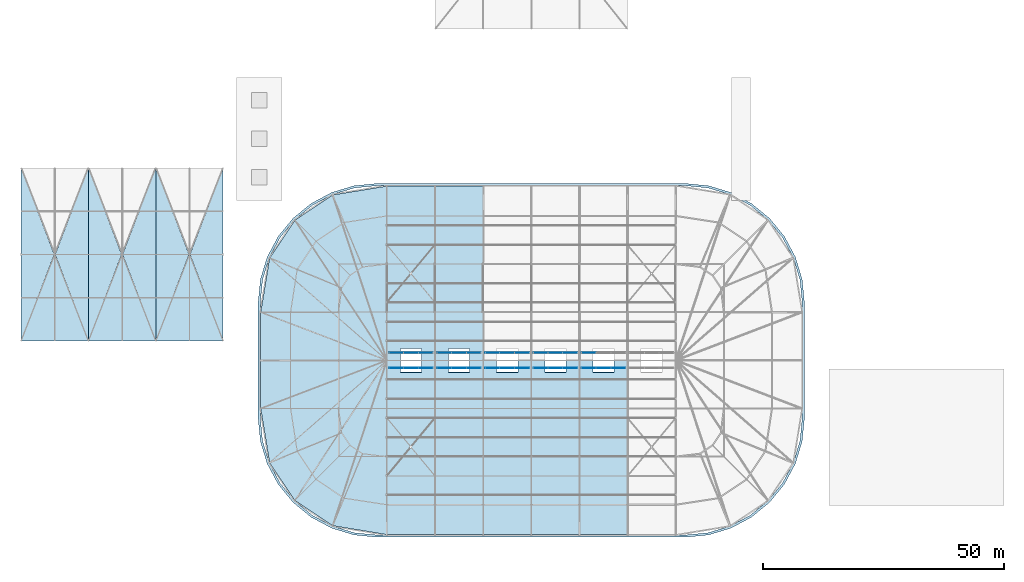
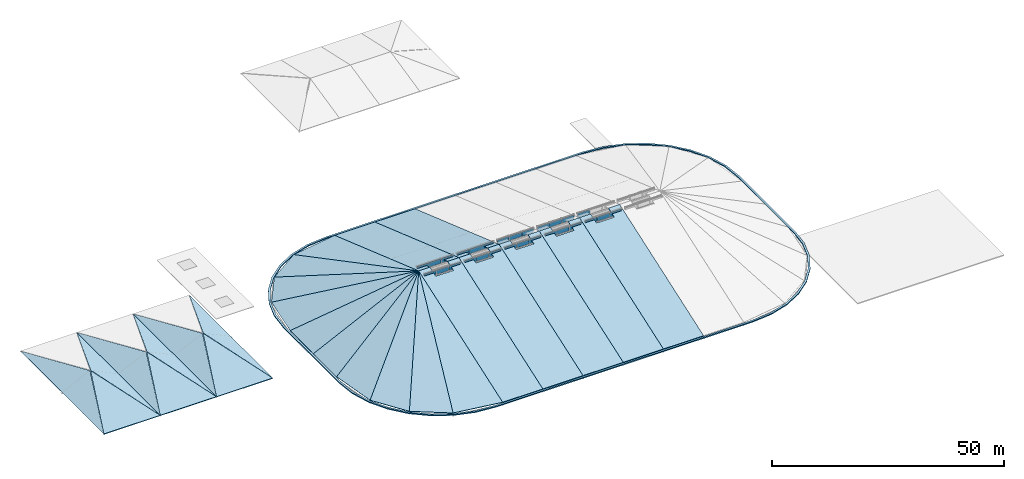
# One storey, part 81 of 93: 28 plates, 27 slabs, 10 elements without a shape of their own.
"""IFC4 building model written with IfcOpenShell, lengths in metres."""

from ifc_helpers import new_model, si_unit, derived_unit, direction, frame, origin, origin_2d_with_axis, place, context, subcontext, project, spatial, polyline, rectangle, outline, extrude, material, layer, layer_set, type_object, element, aggregate, save


model = new_model("IFC4")

# Units and contexts
model_context = context("Model", 3, precision=1e-05, world=origin(), true_north=direction((0.0, 1.0)))
body_context = subcontext(model_context, "Body", "Model", "MODEL_VIEW")
ifc_project = project(units=[si_unit("LENGTHUNIT", "METRE"), si_unit("AREAUNIT", "SQUARE_METRE"), si_unit("VOLUMEUNIT", "CUBIC_METRE"), si_unit("PLANEANGLEUNIT", "RADIAN"), si_unit("MASSUNIT", "GRAM", prefix="KILO"), derived_unit("THERMALTRANSMITTANCEUNIT", [(si_unit("POWERUNIT", "WATT"), 1), (si_unit("LENGTHUNIT", "METRE"), -2), (si_unit("THERMODYNAMICTEMPERATUREUNIT", "KELVIN"), -1)])], contexts=[model_context])

# Site, building, storey
site_placement = place(None, origin())
site = spatial("IfcSite", under=ifc_project, at=site_placement, CompositionType="ELEMENT")
building_placement = place(site_placement, origin())
building = spatial("IfcBuilding", under=site, at=building_placement, Name="Cinnabar Yard Market Hall", CompositionType="ELEMENT")
storey_placement = place(building_placement, frame((0.0, 0.0, 23.800048828125)))
storey = spatial("IfcBuildingStorey", under=building, at=storey_placement, Name="ROOF", CompositionType="ELEMENT", Elevation=23.800048828125)

# Curtain wall, plates
ifc_material_1 = material(Name="Anodised aluminium ridge clerestory", Category="aluminium")
curtain_wall_type = type_object("IfcCurtainWallType", Name="CW-CWR092x13", PredefinedType="NOTDEFINED", material=ifc_material_1)
curtain_wall_1_placement = place(storey_placement, origin())
curtain_wall_1 = element("IfcCurtainWall", 1, at=curtain_wall_1_placement, inside=storey, type_object=curtain_wall_type, Name="South Ridge Clerestory 1", PredefinedType="NOTDEFINED")
ifc_material_2 = material(Name="Low-E laminated glass", Category="glass")
ifc_layer_1 = layer(ifc_material_2, 0.028076171875)
ifc_layer_set_1 = layer_set([ifc_layer_1], Name="Low-E laminated glass")
plate_type_1 = type_object("IfcPlateType", Name="CWP-GP296x115", PredefinedType="CURTAIN_PANEL", material=ifc_layer_set_1)
plate_1_placement = place(storey_placement, frame((87.950927734375, 42.39990234375, 2.22021484375), z_axis=(0.0, 0.0, 1.0), x_axis=(1.0, 0.0, 0.0)))
plate_1 = element("IfcPlate", 2, at=plate_1_placement, type_object=plate_type_1, Name="CWR092x13 panel 1.1", PredefinedType="CURTAIN_PANEL", context=body_context, shape_type="SweptSolid", body=[
    extrude(rectangle(XDim=2.961669921875, YDim=0.028076171875, at=origin_2d_with_axis()), origin(), (0.0, 0.0, 1.0), 1.159912109375),
])
plate_2_placement = place(storey_placement, frame((94.049072265625, 42.39990234375, 2.22021484375), z_axis=(0.0, 0.0, 1.0), x_axis=(1.0, 0.0, 0.0)))
plate_2 = element("IfcPlate", 3, at=plate_2_placement, type_object=plate_type_1, Name="CWR092x13 panel 3.1", PredefinedType="CURTAIN_PANEL", context=body_context, shape_type="SweptSolid", body=[
    extrude(rectangle(XDim=2.961669921875, YDim=0.028076171875, at=origin_2d_with_axis()), origin(), (0.0, 0.0, 1.0), 1.159912109375),
])

curtain_wall_2_placement = place(storey_placement, origin())
curtain_wall_2 = element("IfcCurtainWall", 4, at=curtain_wall_2_placement, inside=storey, type_object=curtain_wall_type, Name="North Ridge Clerestory 1", PredefinedType="NOTDEFINED")
plate_3_placement = place(storey_placement, frame((94.049072265625, 45.60009765625, 2.22021484375), z_axis=(0.0, 0.0, 1.0), x_axis=(-1.0, 0.0, 0.0)))
plate_3 = element("IfcPlate", 5, at=plate_3_placement, type_object=plate_type_1, Name="CWR092x13 panel 1.1", PredefinedType="CURTAIN_PANEL", context=body_context, shape_type="SweptSolid", body=[
    extrude(rectangle(XDim=2.961669921875, YDim=0.028076171875, at=origin_2d_with_axis()), origin(), (0.0, 0.0, 1.0), 1.159912109375),
])
plate_4_placement = place(storey_placement, frame((87.950927734375, 45.60009765625, 2.22021484375), z_axis=(0.0, 0.0, 1.0), x_axis=(-1.0, 0.0, 0.0)))
plate_4 = element("IfcPlate", 6, at=plate_4_placement, type_object=plate_type_1, Name="CWR092x13 panel 3.1", PredefinedType="CURTAIN_PANEL", context=body_context, shape_type="SweptSolid", body=[
    extrude(rectangle(XDim=2.961669921875, YDim=0.028076171875, at=origin_2d_with_axis()), origin(), (0.0, 0.0, 1.0), 1.159912109375),
])

curtain_wall_3_placement = place(storey_placement, origin())
curtain_wall_3 = element("IfcCurtainWall", 7, at=curtain_wall_3_placement, inside=storey, type_object=curtain_wall_type, Name="South Ridge Clerestory 2", PredefinedType="NOTDEFINED")
plate_5_placement = place(storey_placement, frame((97.950927734375, 42.39990234375, 2.22021484375), z_axis=(0.0, 0.0, 1.0), x_axis=(1.0, 0.0, 0.0)))
plate_5 = element("IfcPlate", 8, at=plate_5_placement, type_object=plate_type_1, Name="CWR092x13 panel 1.1", PredefinedType="CURTAIN_PANEL", context=body_context, shape_type="SweptSolid", body=[
    extrude(rectangle(XDim=2.961669921875, YDim=0.028076171875, at=origin_2d_with_axis()), origin(), (0.0, 0.0, 1.0), 1.159912109375),
])
plate_6_placement = place(storey_placement, frame((104.049072265625, 42.39990234375, 2.22021484375), z_axis=(0.0, 0.0, 1.0), x_axis=(1.0, 0.0, 0.0)))
plate_6 = element("IfcPlate", 9, at=plate_6_placement, type_object=plate_type_1, Name="CWR092x13 panel 3.1", PredefinedType="CURTAIN_PANEL", context=body_context, shape_type="SweptSolid", body=[
    extrude(rectangle(XDim=2.961669921875, YDim=0.028076171875, at=origin_2d_with_axis()), origin(), (0.0, 0.0, 1.0), 1.159912109375),
])

curtain_wall_4_placement = place(storey_placement, origin())
curtain_wall_4 = element("IfcCurtainWall", 10, at=curtain_wall_4_placement, inside=storey, type_object=curtain_wall_type, Name="North Ridge Clerestory 2", PredefinedType="NOTDEFINED")
plate_7_placement = place(storey_placement, frame((104.049072265625, 45.60009765625, 2.22021484375), z_axis=(0.0, 0.0, 1.0), x_axis=(-1.0, 0.0, 0.0)))
plate_7 = element("IfcPlate", 11, at=plate_7_placement, type_object=plate_type_1, Name="CWR092x13 panel 1.1", PredefinedType="CURTAIN_PANEL", context=body_context, shape_type="SweptSolid", body=[
    extrude(rectangle(XDim=2.961669921875, YDim=0.028076171875, at=origin_2d_with_axis()), origin(), (0.0, 0.0, 1.0), 1.159912109375),
])
plate_8_placement = place(storey_placement, frame((97.950927734375, 45.60009765625, 2.22021484375), z_axis=(0.0, 0.0, 1.0), x_axis=(-1.0, 0.0, 0.0)))
plate_8 = element("IfcPlate", 12, at=plate_8_placement, type_object=plate_type_1, Name="CWR092x13 panel 3.1", PredefinedType="CURTAIN_PANEL", context=body_context, shape_type="SweptSolid", body=[
    extrude(rectangle(XDim=2.961669921875, YDim=0.028076171875, at=origin_2d_with_axis()), origin(), (0.0, 0.0, 1.0), 1.159912109375),
])

curtain_wall_5_placement = place(storey_placement, origin())
curtain_wall_5 = element("IfcCurtainWall", 13, at=curtain_wall_5_placement, inside=storey, type_object=curtain_wall_type, Name="South Ridge Clerestory 3", PredefinedType="NOTDEFINED")
plate_9_placement = place(storey_placement, frame((107.950927734375, 42.39990234375, 2.22021484375), z_axis=(0.0, 0.0, 1.0), x_axis=(1.0, 0.0, 0.0)))
plate_9 = element("IfcPlate", 14, at=plate_9_placement, type_object=plate_type_1, Name="CWR092x13 panel 1.1", PredefinedType="CURTAIN_PANEL", context=body_context, shape_type="SweptSolid", body=[
    extrude(rectangle(XDim=2.961669921875, YDim=0.028076171875, at=origin_2d_with_axis()), origin(), (0.0, 0.0, 1.0), 1.159912109375),
])
plate_10_placement = place(storey_placement, frame((114.049072265625, 42.39990234375, 2.22021484375), z_axis=(0.0, 0.0, 1.0), x_axis=(1.0, 0.0, 0.0)))
plate_10 = element("IfcPlate", 15, at=plate_10_placement, type_object=plate_type_1, Name="CWR092x13 panel 3.1", PredefinedType="CURTAIN_PANEL", context=body_context, shape_type="SweptSolid", body=[
    extrude(rectangle(XDim=2.961669921875, YDim=0.028076171875, at=origin_2d_with_axis()), origin(), (0.0, 0.0, 1.0), 1.159912109375),
])

curtain_wall_6_placement = place(storey_placement, origin())
curtain_wall_6 = element("IfcCurtainWall", 16, at=curtain_wall_6_placement, inside=storey, type_object=curtain_wall_type, Name="North Ridge Clerestory 3", PredefinedType="NOTDEFINED")
plate_11_placement = place(storey_placement, frame((114.049072265625, 45.60009765625, 2.22021484375), z_axis=(0.0, 0.0, 1.0), x_axis=(-1.0, 0.0, 0.0)))
plate_11 = element("IfcPlate", 17, at=plate_11_placement, type_object=plate_type_1, Name="CWR092x13 panel 1.1", PredefinedType="CURTAIN_PANEL", context=body_context, shape_type="SweptSolid", body=[
    extrude(rectangle(XDim=2.961669921875, YDim=0.028076171875, at=origin_2d_with_axis()), origin(), (0.0, 0.0, 1.0), 1.159912109375),
])
plate_12_placement = place(storey_placement, frame((107.950927734375, 45.60009765625, 2.22021484375), z_axis=(0.0, 0.0, 1.0), x_axis=(-1.0, 0.0, 0.0)))
plate_12 = element("IfcPlate", 18, at=plate_12_placement, type_object=plate_type_1, Name="CWR092x13 panel 3.1", PredefinedType="CURTAIN_PANEL", context=body_context, shape_type="SweptSolid", body=[
    extrude(rectangle(XDim=2.961669921875, YDim=0.028076171875, at=origin_2d_with_axis()), origin(), (0.0, 0.0, 1.0), 1.159912109375),
])

curtain_wall_7_placement = place(storey_placement, origin())
curtain_wall_7 = element("IfcCurtainWall", 19, at=curtain_wall_7_placement, inside=storey, type_object=curtain_wall_type, Name="South Ridge Clerestory 4", PredefinedType="NOTDEFINED")
plate_13_placement = place(storey_placement, frame((117.950927734375, 42.39990234375, 2.22021484375), z_axis=(0.0, 0.0, 1.0), x_axis=(1.0, 0.0, 0.0)))
plate_13 = element("IfcPlate", 20, at=plate_13_placement, type_object=plate_type_1, Name="CWR092x13 panel 1.1", PredefinedType="CURTAIN_PANEL", context=body_context, shape_type="SweptSolid", body=[
    extrude(rectangle(XDim=2.961669921875, YDim=0.028076171875, at=origin_2d_with_axis()), origin(), (0.0, 0.0, 1.0), 1.159912109375),
])
plate_14_placement = place(storey_placement, frame((124.049072265625, 42.39990234375, 2.22021484375), z_axis=(0.0, 0.0, 1.0), x_axis=(1.0, 0.0, 0.0)))
plate_14 = element("IfcPlate", 21, at=plate_14_placement, type_object=plate_type_1, Name="CWR092x13 panel 3.1", PredefinedType="CURTAIN_PANEL", context=body_context, shape_type="SweptSolid", body=[
    extrude(rectangle(XDim=2.961669921875, YDim=0.028076171875, at=origin_2d_with_axis()), origin(), (0.0, 0.0, 1.0), 1.159912109375),
])

curtain_wall_8_placement = place(storey_placement, origin())
curtain_wall_8 = element("IfcCurtainWall", 22, at=curtain_wall_8_placement, inside=storey, type_object=curtain_wall_type, Name="North Ridge Clerestory 4", PredefinedType="NOTDEFINED")
plate_15_placement = place(storey_placement, frame((124.049072265625, 45.60009765625, 2.22021484375), z_axis=(0.0, 0.0, 1.0), x_axis=(-1.0, 0.0, 0.0)))
plate_15 = element("IfcPlate", 23, at=plate_15_placement, type_object=plate_type_1, Name="CWR092x13 panel 1.1", PredefinedType="CURTAIN_PANEL", context=body_context, shape_type="SweptSolid", body=[
    extrude(rectangle(XDim=2.961669921875, YDim=0.028076171875, at=origin_2d_with_axis()), origin(), (0.0, 0.0, 1.0), 1.159912109375),
])
plate_16_placement = place(storey_placement, frame((117.950927734375, 45.60009765625, 2.22021484375), z_axis=(0.0, 0.0, 1.0), x_axis=(-1.0, 0.0, 0.0)))
plate_16 = element("IfcPlate", 24, at=plate_16_placement, type_object=plate_type_1, Name="CWR092x13 panel 3.1", PredefinedType="CURTAIN_PANEL", context=body_context, shape_type="SweptSolid", body=[
    extrude(rectangle(XDim=2.961669921875, YDim=0.028076171875, at=origin_2d_with_axis()), origin(), (0.0, 0.0, 1.0), 1.159912109375),
])

curtain_wall_9_placement = place(storey_placement, origin())
curtain_wall_9 = element("IfcCurtainWall", 25, at=curtain_wall_9_placement, inside=storey, type_object=curtain_wall_type, Name="South Ridge Clerestory 5", PredefinedType="NOTDEFINED")
plate_17_placement = place(storey_placement, frame((127.950927734375, 42.39990234375, 2.22021484375), z_axis=(0.0, 0.0, 1.0), x_axis=(1.0, 0.0, 0.0)))
plate_17 = element("IfcPlate", 26, at=plate_17_placement, type_object=plate_type_1, Name="CWR092x13 panel 1.1", PredefinedType="CURTAIN_PANEL", context=body_context, shape_type="SweptSolid", body=[
    extrude(rectangle(XDim=2.961669921875, YDim=0.028076171875, at=origin_2d_with_axis()), origin(), (0.0, 0.0, 1.0), 1.159912109375),
])
plate_18_placement = place(storey_placement, frame((134.049072265625, 42.39990234375, 2.22021484375), z_axis=(0.0, 0.0, 1.0), x_axis=(1.0, 0.0, 0.0)))
plate_18 = element("IfcPlate", 27, at=plate_18_placement, type_object=plate_type_1, Name="CWR092x13 panel 3.1", PredefinedType="CURTAIN_PANEL", context=body_context, shape_type="SweptSolid", body=[
    extrude(rectangle(XDim=2.961669921875, YDim=0.028076171875, at=origin_2d_with_axis()), origin(), (0.0, 0.0, 1.0), 1.159912109375),
])

# Curtain wall, plate
curtain_wall_10_placement = place(storey_placement, origin())
curtain_wall_10 = element("IfcCurtainWall", 28, at=curtain_wall_10_placement, inside=storey, type_object=curtain_wall_type, Name="North Ridge Clerestory 5", PredefinedType="NOTDEFINED")
plate_19_placement = place(storey_placement, frame((127.950927734375, 45.60009765625, 2.22021484375), z_axis=(0.0, 0.0, 1.0), x_axis=(-1.0, 0.0, 0.0)))
plate_19 = element("IfcPlate", 29, at=plate_19_placement, type_object=plate_type_1, Name="CWR092x13 panel 3.1", PredefinedType="CURTAIN_PANEL", context=body_context, shape_type="SweptSolid", body=[
    extrude(rectangle(XDim=2.961669921875, YDim=0.028076171875, at=origin_2d_with_axis()), origin(), (0.0, 0.0, 1.0), 1.159912109375),
])
aggregate(curtain_wall_10, [plate_19])

# Plate
ifc_layer_2 = layer(ifc_material_2, 0.028076171875)
ifc_layer_set_2 = layer_set([ifc_layer_2], Name="Low-E laminated glass")
plate_type_2 = type_object("IfcPlateType", Name="CWP-GP300x115", PredefinedType="CURTAIN_PANEL", material=ifc_layer_set_2)
plate_20_placement = place(storey_placement, frame((91.0, 42.39990234375, 2.22021484375), z_axis=(0.0, 0.0, 1.0), x_axis=(1.0, 0.0, 0.0)))
plate_20 = element("IfcPlate", 30, at=plate_20_placement, type_object=plate_type_2, Name="CWR092x13 panel 2.1", PredefinedType="CURTAIN_PANEL", context=body_context, shape_type="SweptSolid", body=[
    extrude(rectangle(XDim=2.99658203125, YDim=0.028076171875, at=origin_2d_with_axis()), origin(), (0.0, 0.0, 1.0), 1.159912109375),
])

aggregate(curtain_wall_1, [plate_1, plate_20, plate_2])

plate_21_placement = place(storey_placement, frame((91.0, 45.60009765625, 2.22021484375), z_axis=(0.0, 0.0, 1.0), x_axis=(-1.0, 0.0, 0.0)))
plate_21 = element("IfcPlate", 31, at=plate_21_placement, type_object=plate_type_2, Name="CWR092x13 panel 2.1", PredefinedType="CURTAIN_PANEL", context=body_context, shape_type="SweptSolid", body=[
    extrude(rectangle(XDim=2.99658203125, YDim=0.028076171875, at=origin_2d_with_axis()), origin(), (0.0, 0.0, 1.0), 1.159912109375),
])

aggregate(curtain_wall_2, [plate_3, plate_21, plate_4])

plate_22_placement = place(storey_placement, frame((101.0, 42.39990234375, 2.22021484375), z_axis=(0.0, 0.0, 1.0), x_axis=(1.0, 0.0, 0.0)))
plate_22 = element("IfcPlate", 32, at=plate_22_placement, type_object=plate_type_2, Name="CWR092x13 panel 2.1", PredefinedType="CURTAIN_PANEL", context=body_context, shape_type="SweptSolid", body=[
    extrude(rectangle(XDim=2.99658203125, YDim=0.028076171875, at=origin_2d_with_axis()), origin(), (0.0, 0.0, 1.0), 1.159912109375),
])

aggregate(curtain_wall_3, [plate_5, plate_22, plate_6])

plate_23_placement = place(storey_placement, frame((101.0, 45.60009765625, 2.22021484375), z_axis=(0.0, 0.0, 1.0), x_axis=(-1.0, 0.0, 0.0)))
plate_23 = element("IfcPlate", 33, at=plate_23_placement, type_object=plate_type_2, Name="CWR092x13 panel 2.1", PredefinedType="CURTAIN_PANEL", context=body_context, shape_type="SweptSolid", body=[
    extrude(rectangle(XDim=2.99658203125, YDim=0.028076171875, at=origin_2d_with_axis()), origin(), (0.0, 0.0, 1.0), 1.159912109375),
])

aggregate(curtain_wall_4, [plate_7, plate_23, plate_8])

plate_24_placement = place(storey_placement, frame((111.0, 42.39990234375, 2.22021484375), z_axis=(0.0, 0.0, 1.0), x_axis=(1.0, 0.0, 0.0)))
plate_24 = element("IfcPlate", 34, at=plate_24_placement, type_object=plate_type_2, Name="CWR092x13 panel 2.1", PredefinedType="CURTAIN_PANEL", context=body_context, shape_type="SweptSolid", body=[
    extrude(rectangle(XDim=2.99658203125, YDim=0.028076171875, at=origin_2d_with_axis()), origin(), (0.0, 0.0, 1.0), 1.159912109375),
])

aggregate(curtain_wall_5, [plate_9, plate_24, plate_10])

plate_25_placement = place(storey_placement, frame((111.0, 45.60009765625, 2.22021484375), z_axis=(0.0, 0.0, 1.0), x_axis=(-1.0, 0.0, 0.0)))
plate_25 = element("IfcPlate", 35, at=plate_25_placement, type_object=plate_type_2, Name="CWR092x13 panel 2.1", PredefinedType="CURTAIN_PANEL", context=body_context, shape_type="SweptSolid", body=[
    extrude(rectangle(XDim=2.99658203125, YDim=0.028076171875, at=origin_2d_with_axis()), origin(), (0.0, 0.0, 1.0), 1.159912109375),
])

aggregate(curtain_wall_6, [plate_11, plate_25, plate_12])

plate_26_placement = place(storey_placement, frame((121.0, 42.39990234375, 2.22021484375), z_axis=(0.0, 0.0, 1.0), x_axis=(1.0, 0.0, 0.0)))
plate_26 = element("IfcPlate", 36, at=plate_26_placement, type_object=plate_type_2, Name="CWR092x13 panel 2.1", PredefinedType="CURTAIN_PANEL", context=body_context, shape_type="SweptSolid", body=[
    extrude(rectangle(XDim=2.99658203125, YDim=0.028076171875, at=origin_2d_with_axis()), origin(), (0.0, 0.0, 1.0), 1.159912109375),
])

aggregate(curtain_wall_7, [plate_13, plate_26, plate_14])

plate_27_placement = place(storey_placement, frame((121.0, 45.60009765625, 2.22021484375), z_axis=(0.0, 0.0, 1.0), x_axis=(-1.0, 0.0, 0.0)))
plate_27 = element("IfcPlate", 37, at=plate_27_placement, type_object=plate_type_2, Name="CWR092x13 panel 2.1", PredefinedType="CURTAIN_PANEL", context=body_context, shape_type="SweptSolid", body=[
    extrude(rectangle(XDim=2.99658203125, YDim=0.028076171875, at=origin_2d_with_axis()), origin(), (0.0, 0.0, 1.0), 1.159912109375),
])

aggregate(curtain_wall_8, [plate_15, plate_27, plate_16])

plate_28_placement = place(storey_placement, frame((131.0, 42.39990234375, 2.22021484375), z_axis=(0.0, 0.0, 1.0), x_axis=(1.0, 0.0, 0.0)))
plate_28 = element("IfcPlate", 38, at=plate_28_placement, type_object=plate_type_2, Name="CWR092x13 panel 2.1", PredefinedType="CURTAIN_PANEL", context=body_context, shape_type="SweptSolid", body=[
    extrude(rectangle(XDim=2.99658203125, YDim=0.028076171875, at=origin_2d_with_axis()), origin(), (0.0, 0.0, 1.0), 1.159912109375),
])

aggregate(curtain_wall_9, [plate_17, plate_28, plate_18])

# Slabs
ifc_material_3 = material(Name="Concrete 40 MPa", Category="concrete")
ifc_layer_3 = layer(ifc_material_3, 0.280029296875)
ifc_layer_set_3 = layer_set([ifc_layer_3], Name="Concrete 40 MPa")
slab_type_1 = type_object("IfcSlabType", Name="RF-EAVE", PredefinedType="ROOF", material=ifc_layer_set_3)
slab_1_placement = place(storey_placement, frame((0.0, 0.0, -9.47998046875)))
element("IfcSlab", 39, at=slab_1_placement, inside=storey, type_object=slab_type_1, Name="Market Hall Slim Rounded Eave Band", PredefinedType="ROOF", context=body_context, shape_type="SweptSolid", body=[
    extrude(outline(polyline([(59.25, 32.0), (59.7255859375, 27.17138671875), (61.134033203125, 22.528564453125), (63.421142578125, 18.24951171875), (66.4990234375, 14.4990234375), (70.24951171875, 11.421142578125), (74.528564453125, 9.134033203125), (79.17138671875, 7.7255859375), (84.0, 7.25), (148.0, 7.25), (152.82861328125, 7.7255859375), (157.471435546875, 9.134033203125), (161.75048828125, 11.421142578125), (165.5009765625, 14.4990234375), (168.578857421875, 18.24951171875), (170.865966796875, 22.528564453125), (172.2744140625, 27.17138671875), (172.75, 32.0), (172.75, 56.0), (172.2744140625, 60.82861328125), (170.865966796875, 65.471435546875), (168.578857421875, 69.75048828125), (165.5009765625, 73.5009765625), (161.75048828125, 76.578857421875), (157.471435546875, 78.865966796875), (152.82861328125, 80.2744140625), (148.0, 80.75), (84.0, 80.75), (79.17138671875, 80.2744140625), (74.528564453125, 78.865966796875), (70.24951171875, 76.578857421875), (66.4990234375, 73.5009765625), (63.421142578125, 69.75048828125), (61.134033203125, 65.471435546875), (59.7255859375, 60.82861328125), (59.25, 56.0), (59.25, 32.0)]), holes=[polyline([(59.719970703125, 32.0), (60.1865234375, 27.26318359375), (61.568115234375, 22.70849609375), (63.81201171875, 18.5107421875), (66.831298828125, 14.831298828125), (70.5107421875, 11.81201171875), (74.70849609375, 9.568115234375), (79.26318359375, 8.1865234375), (84.0, 7.719970703125), (148.0, 7.719970703125), (152.73681640625, 8.1865234375), (157.29150390625, 9.568115234375), (161.4892578125, 11.81201171875), (165.168701171875, 14.831298828125), (168.18798828125, 18.5107421875), (170.431884765625, 22.70849609375), (171.8134765625, 27.26318359375), (172.280029296875, 32.0), (172.280029296875, 56.0), (171.8134765625, 60.73681640625), (170.431884765625, 65.29150390625), (168.18798828125, 69.4892578125), (165.168701171875, 73.168701171875), (161.4892578125, 76.18798828125), (157.29150390625, 78.431884765625), (152.73681640625, 79.8134765625), (148.0, 80.280029296875), (84.0, 80.280029296875), (79.26318359375, 79.8134765625), (74.70849609375, 78.431884765625), (70.5107421875, 76.18798828125), (66.831298828125, 73.168701171875), (63.81201171875, 69.4892578125), (61.568115234375, 65.29150390625), (60.1865234375, 60.73681640625), (59.719970703125, 56.0), (59.719970703125, 32.0)])]), origin(), (0.0, 0.0, 1.0), 0.280029296875),
])
ifc_layer_4 = layer(ifc_material_3, 0.179931640625)
ifc_layer_set_4 = layer_set([ifc_layer_4], Name="Concrete 40 MPa")
slab_type_2 = type_object("IfcSlabType", Name="RF-HALL", PredefinedType="ROOF", material=ifc_layer_set_4)
slab_2_placement = place(storey_placement, frame((86.0, 7.800048828125, -9.150146484375), z_axis=(0.0, -0.328726259406, 0.944425246579), x_axis=(1.0, 0.0, 0.0)))
element("IfcSlab", 40, at=slab_2_placement, inside=storey, type_object=slab_type_2, Name="Market Hall South Pitched Roof Panel 01", PredefinedType="ROOF", context=body_context, shape_type="SweptSolid", body=[
    extrude(outline(polyline([(0.0, 0.0), (10.0, 0.0), (10.0, 38.33013078235692), (7.199951171875, 38.33013078235692), (7.199951171875, 35.68303729761617), (2.800048828125, 35.68303729761617), (2.800048828125, 38.33013078235692), (0.0, 38.33013078235692), (0.0, 0.0)])), origin(), (0.0, 0.0, -1.0), 0.179931640625),
])
slab_3_placement = place(storey_placement, frame((86.0, 44.0, 3.449951171875), z_axis=(0.0, 0.328726259406, 0.944425246579), x_axis=(1.0, 0.0, 0.0)))
element("IfcSlab", 41, at=slab_3_placement, inside=storey, type_object=slab_type_2, Name="Market Hall North Pitched Roof Panel 01", PredefinedType="ROOF", context=body_context, shape_type="SweptSolid", body=[
    extrude(outline(polyline([(0.0, 0.0), (2.800048828125, 0.0), (2.800048828125, 2.6470934847407452), (7.199951171875, 2.6470934847407452), (7.199951171875, 0.0), (10.0, 0.0), (10.0, 38.33013078235692), (0.0, 38.33013078235692), (0.0, 0.0)])), origin(), (0.0, 0.0, -1.0), 0.179931640625),
])
slab_4_placement = place(storey_placement, frame((96.0, 7.800048828125, -9.150146484375), z_axis=(0.0, -0.328726259406, 0.944425246579), x_axis=(1.0, 0.0, 0.0)))
element("IfcSlab", 42, at=slab_4_placement, inside=storey, type_object=slab_type_2, Name="Market Hall South Pitched Roof Panel 02", PredefinedType="ROOF", context=body_context, shape_type="SweptSolid", body=[
    extrude(outline(polyline([(0.0, 0.0), (10.0, 0.0), (10.0, 38.33013078235692), (7.199951171875, 38.33013078235692), (7.199951171875, 35.68303729761617), (2.800048828125, 35.68303729761617), (2.800048828125, 38.33013078235692), (0.0, 38.33013078235692), (0.0, 0.0)])), origin(), (0.0, 0.0, -1.0), 0.179931640625),
])
slab_5_placement = place(storey_placement, frame((96.0, 44.0, 3.449951171875), z_axis=(0.0, 0.328726259406, 0.944425246579), x_axis=(1.0, 0.0, 0.0)))
element("IfcSlab", 43, at=slab_5_placement, inside=storey, type_object=slab_type_2, Name="Market Hall North Pitched Roof Panel 02", PredefinedType="ROOF", context=body_context, shape_type="SweptSolid", body=[
    extrude(outline(polyline([(0.0, 0.0), (2.800048828125, 0.0), (2.800048828125, 2.6470934847407452), (7.199951171875, 2.6470934847407452), (7.199951171875, 0.0), (10.0, 0.0), (10.0, 38.33013078235692), (0.0, 38.33013078235692), (0.0, 0.0)])), origin(), (0.0, 0.0, -1.0), 0.179931640625),
])
for number, where, z_axis, x_axis, name in (
    (44, (106.0, 7.800048828125, -9.150146484375), (0.0, -0.328726259406, 0.944425246579), (1.0, 0.0, 0.0), "Market Hall South Pitched Roof Panel 03"),
    (45, (116.0, 7.800048828125, -9.150146484375), (0.0, -0.328726259406, 0.944425246579), (1.0, 0.0, 0.0), "Market Hall South Pitched Roof Panel 04"),
    (46, (126.0, 7.800048828125, -9.150146484375), (0.0, -0.328726259406, 0.944425246579), (1.0, 0.0, 0.0), "Market Hall South Pitched Roof Panel 05"),
):
    element("IfcSlab", number, at=place(storey_placement, frame(where, z_axis=z_axis, x_axis=x_axis)), inside=storey, type_object=slab_type_2, Name=name, PredefinedType="ROOF", context=body_context, shape_type="SweptSolid", body=[
        extrude(outline(polyline([(0.0, 0.0), (10.0, 0.0), (10.0, 38.33013078235692), (7.199951171875, 38.33013078235692), (7.199951171875, 35.68303729761617), (2.800048828125, 35.68303729761617), (2.800048828125, 38.33013078235692), (0.0, 38.33013078235692), (0.0, 0.0)])), origin(), (0.0, 0.0, -1.0), 0.179931640625),
    ])
slab_6_placement = place(storey_placement, frame((86.0, 44.0, 3.449951171875), z_axis=(-0.053694464381, -0.328251447261, 0.943063037059), x_axis=(-0.294105928057, -0.897333924239, -0.32907982541)))
element("IfcSlab", 47, at=slab_6_placement, inside=storey, type_object=slab_type_2, Name="Market Hall West Apsidal Hip Facet 01", PredefinedType="ROOF", context=body_context, shape_type="SweptSolid", body=[
    extrude(outline(polyline([(0.0, 0.0), (38.28887912089098, -1.9984014443252818e-15), (36.62988217917615, 11.289404649176312), (0.0, 0.0)])), origin(), (0.0, 0.0, -1.0), 0.179931640625),
])
slab_7_placement = place(storey_placement, frame((86.0, 44.0, 3.449951171875), z_axis=(-0.189023755784, -0.282897842347, 0.940339742085), x_axis=(-0.516062640809, -0.786082003475, -0.340227033867)))
element("IfcSlab", 48, at=slab_7_placement, inside=storey, type_object=slab_type_2, Name="Market Hall West Apsidal Hip Facet 02", PredefinedType="ROOF", context=body_context, shape_type="SweptSolid", body=[
    extrude(outline(polyline([(0.0, 0.0), (37.03438116911593, -2.6575963651964685e-15), (37.10640304546338, 9.442092848612967), (0.0, 0.0)])), origin(), (0.0, 0.0, -1.0), 0.179931640625),
])
slab_8_placement = place(storey_placement, frame((86.0, 44.0, 3.449951171875), z_axis=(-0.304097188271, -0.203188515591, 0.930719789849), x_axis=(-0.701954212015, -0.612706049447, -0.363113730401)))
element("IfcSlab", 49, at=slab_8_placement, inside=storey, type_object=slab_type_2, Name="Market Hall West Apsidal Hip Facet 03", PredefinedType="ROOF", context=body_context, shape_type="SweptSolid", body=[
    extrude(outline(polyline([(0.0, 0.0), (34.700141033887775, -3.9968028886505635e-15), (35.82819547347509, 9.3747425401356), (0.0, 0.0)])), origin(), (0.0, 0.0, -1.0), 0.179931640625),
])
slab_9_placement = place(storey_placement, frame((86.0, 44.0, 3.449951171875), z_axis=(-0.411443291591, -0.067302756316, 0.908947059403), x_axis=(-0.852194344827, -0.325265623297, -0.409837861776)))
element("IfcSlab", 50, at=slab_9_placement, inside=storey, type_object=slab_type_2, Name="Market Hall West Apsidal Hip Facet 04", PredefinedType="ROOF", context=body_context, shape_type="SweptSolid", body=[
    extrude(outline(polyline([(0.0, 0.0), (30.744103538006616, 1.887379141862766e-15), (32.8371383385086, 11.217046559114866), (0.0, 0.0)])), origin(), (0.0, 0.0, -1.0), 0.179931640625),
])
slab_10_placement = place(storey_placement, frame((86.0, 44.0, 3.449951171875), z_axis=(-0.433405274162, 0.0, 0.901199128012), x_axis=(-0.901199128012, 0.0, -0.433405274162)))
element("IfcSlab", 51, at=slab_10_placement, inside=storey, type_object=slab_type_2, Name="Market Hall West Apsidal Hip Facet 05", PredefinedType="ROOF", context=body_context, shape_type="SweptSolid", body=[
    extrude(outline(polyline([(0.0, 0.0), (29.0723219292108, 0.0), (29.0723219292108, 10.0), (0.0, 0.0)])), origin(), (0.0, 0.0, -1.0), 0.179931640625),
])
slab_11_placement = place(storey_placement, frame((86.0, 44.0, 3.449951171875), z_axis=(-0.433405274162, 0.0, 0.901199128012), x_axis=(-0.852194344827, 0.325265623297, -0.409837861776)))
element("IfcSlab", 52, at=slab_11_placement, inside=storey, type_object=slab_type_2, Name="Market Hall West Apsidal Hip Facet 06", PredefinedType="ROOF", context=body_context, shape_type="SweptSolid", body=[
    extrude(outline(polyline([(0.0, 0.0), (30.744103538006616, -6.661338147750939e-16), (27.491447305035713, 9.456226912998416), (0.0, 0.0)])), origin(), (0.0, 0.0, -1.0), 0.179931640625),
])
slab_12_placement = place(storey_placement, frame((86.0, 44.0, 3.449951171875), z_axis=(-0.411443291591, 0.067302756316, 0.908947059403), x_axis=(-0.701954212015, 0.612706049447, -0.363113730401)))
element("IfcSlab", 53, at=slab_12_placement, inside=storey, type_object=slab_type_2, Name="Market Hall West Apsidal Hip Facet 07", PredefinedType="ROOF", context=body_context, shape_type="SweptSolid", body=[
    extrude(outline(polyline([(0.0, 0.0), (34.700141033887775, -8.881784197001252e-16), (29.093495037528562, 9.938231676559575), (0.0, 0.0)])), origin(), (0.0, 0.0, -1.0), 0.179931640625),
])
slab_13_placement = place(storey_placement, frame((86.0, 44.0, 3.449951171875), z_axis=(-0.304097188271, 0.203188515591, 0.930719789849), x_axis=(-0.516062640809, 0.786082003475, -0.340227033867)))
element("IfcSlab", 54, at=slab_13_placement, inside=storey, type_object=slab_type_2, Name="Market Hall West Apsidal Hip Facet 08", PredefinedType="ROOF", context=body_context, shape_type="SweptSolid", body=[
    extrude(outline(polyline([(0.0, 0.0), (37.03438116911593, 1.9984014443252818e-15), (33.56998002051301, 8.783861861052888), (0.0, 0.0)])), origin(), (0.0, 0.0, -1.0), 0.179931640625),
])
slab_14_placement = place(storey_placement, frame((86.0, 44.0, 3.449951171875), z_axis=(-0.189023755784, 0.282897842347, 0.940339742085), x_axis=(-0.294105928057, 0.897333924239, -0.32907982541)))
element("IfcSlab", 55, at=slab_14_placement, inside=storey, type_object=slab_type_2, Name="Market Hall West Apsidal Hip Facet 09", PredefinedType="ROOF", context=body_context, shape_type="SweptSolid", body=[
    extrude(outline(polyline([(0.0, 0.0), (38.28887912089099, 8.881784197001252e-16), (35.89064777429705, 9.13273184325013), (0.0, 0.0)])), origin(), (0.0, 0.0, -1.0), 0.179931640625),
])
slab_15_placement = place(storey_placement, frame((86.0, 44.0, 3.449951171875), z_axis=(-0.053694464381, 0.328251447261, 0.943063037059), x_axis=(0.0, 0.944425454153, -0.328725663051)))
element("IfcSlab", 56, at=slab_15_placement, inside=storey, type_object=slab_type_2, Name="Market Hall West Apsidal Hip Facet 10", PredefinedType="ROOF", context=body_context, shape_type="SweptSolid", body=[
    extrude(outline(polyline([(0.0, 0.0), (38.330130782364556, -1.1102230246251565e-16), (36.59046035961463, 11.277254763712312), (0.0, 0.0)])), origin(), (0.0, 0.0, -1.0), 0.179931640625),
])
ifc_layer_5 = layer(ifc_material_3, 0.18994140625)
ifc_layer_set_5 = layer_set([ifc_layer_5], Name="Concrete 40 MPa")
slab_type_3 = type_object("IfcSlabType", Name="RF-PAV", PredefinedType="ROOF", material=ifc_layer_set_5)
slab_16_placement = place(storey_placement, frame((10.0, 48.0, -15.260009765625), z_axis=(0.0, -0.185607349892, 0.982623993024), x_axis=(1.0, 0.0, 0.0)))
element("IfcSlab", 57, at=slab_16_placement, inside=storey, type_object=slab_type_3, Name="Food Court Chhatri Roof CH1 S", PredefinedType="ROOF", context=body_context, shape_type="SweptSolid", body=[
    extrude(outline(polyline([(0.0, 0.0), (14.0, 0.0), (7.0, 18.216431178997674), (0.0, 0.0)])), origin(), (0.0, 0.0, -1.0), 0.18994140625),
])
for number, where, z_axis, x_axis, name in (
    (58, (24.0, 48.0, -15.260009765625), (0.436897340736, 0.0, 0.899511374946), (0.0, 1.0, 0.0), "Food Court Chhatri Roof CH1 E"),
    (59, (10.0, 84.0, -15.260009765625), (-0.436897340736, 0.0, 0.899511374946), (0.0, -1.0, 0.0), "Food Court Chhatri Roof CH1 W"),
):
    element("IfcSlab", number, at=place(storey_placement, frame(where, z_axis=z_axis, x_axis=x_axis)), inside=storey, type_object=slab_type_3, Name=name, PredefinedType="ROOF", context=body_context, shape_type="SweptSolid", body=[
        extrude(outline(polyline([(0.0, 0.0), (36.0, 0.0), (18.0, 7.670722723392542), (0.0, 0.0)])), origin(), (0.0, 0.0, -1.0), 0.18994140625),
    ])
slab_17_placement = place(storey_placement, frame((24.0, 48.0, -15.260009765625), z_axis=(0.0, -0.185607349892, 0.982623993024), x_axis=(1.0, 0.0, 0.0)))
element("IfcSlab", 60, at=slab_17_placement, inside=storey, type_object=slab_type_3, Name="Food Court Chhatri Roof CH2 S", PredefinedType="ROOF", context=body_context, shape_type="SweptSolid", body=[
    extrude(outline(polyline([(0.0, 0.0), (14.0, 0.0), (7.0, 18.216431178997674), (0.0, 0.0)])), origin(), (0.0, 0.0, -1.0), 0.18994140625),
])
for number, where, z_axis, x_axis, name in (
    (61, (38.0, 48.0, -15.260009765625), (0.436897340736, 0.0, 0.899511374946), (0.0, 1.0, 0.0), "Food Court Chhatri Roof CH2 E"),
    (62, (24.0, 84.0, -15.260009765625), (-0.436897340736, 0.0, 0.899511374946), (0.0, -1.0, 0.0), "Food Court Chhatri Roof CH2 W"),
):
    element("IfcSlab", number, at=place(storey_placement, frame(where, z_axis=z_axis, x_axis=x_axis)), inside=storey, type_object=slab_type_3, Name=name, PredefinedType="ROOF", context=body_context, shape_type="SweptSolid", body=[
        extrude(outline(polyline([(0.0, 0.0), (36.0, 0.0), (18.0, 7.670722723392542), (0.0, 0.0)])), origin(), (0.0, 0.0, -1.0), 0.18994140625),
    ])
slab_18_placement = place(storey_placement, frame((38.0, 48.0, -15.260009765625), z_axis=(0.0, -0.185607349892, 0.982623993024), x_axis=(1.0, 0.0, 0.0)))
element("IfcSlab", 63, at=slab_18_placement, inside=storey, type_object=slab_type_3, Name="Food Court Chhatri Roof CH3 S", PredefinedType="ROOF", context=body_context, shape_type="SweptSolid", body=[
    extrude(outline(polyline([(0.0, 0.0), (14.0, 0.0), (7.0, 18.216431178997674), (0.0, 0.0)])), origin(), (0.0, 0.0, -1.0), 0.18994140625),
])
for number, where, z_axis, x_axis, name in (
    (64, (52.0, 48.0, -15.260009765625), (0.436897340736, 0.0, 0.899511374946), (0.0, 1.0, 0.0), "Food Court Chhatri Roof CH3 E"),
    (65, (38.0, 84.0, -15.260009765625), (-0.436897340736, 0.0, 0.899511374946), (0.0, -1.0, 0.0), "Food Court Chhatri Roof CH3 W"),
):
    element("IfcSlab", number, at=place(storey_placement, frame(where, z_axis=z_axis, x_axis=x_axis)), inside=storey, type_object=slab_type_3, Name=name, PredefinedType="ROOF", context=body_context, shape_type="SweptSolid", body=[
        extrude(outline(polyline([(0.0, 0.0), (36.0, 0.0), (18.0, 7.670722723392542), (0.0, 0.0)])), origin(), (0.0, 0.0, -1.0), 0.18994140625),
    ])

save(model, "model.ifc")
